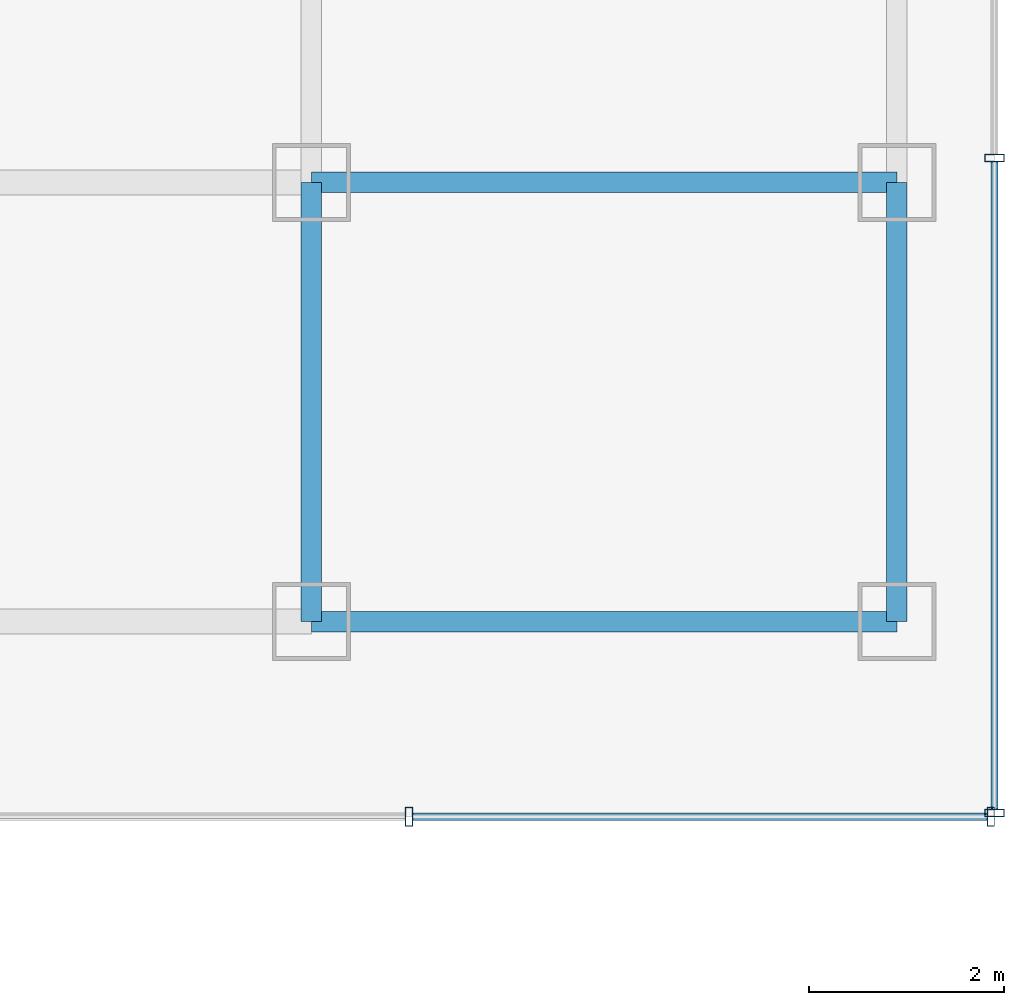
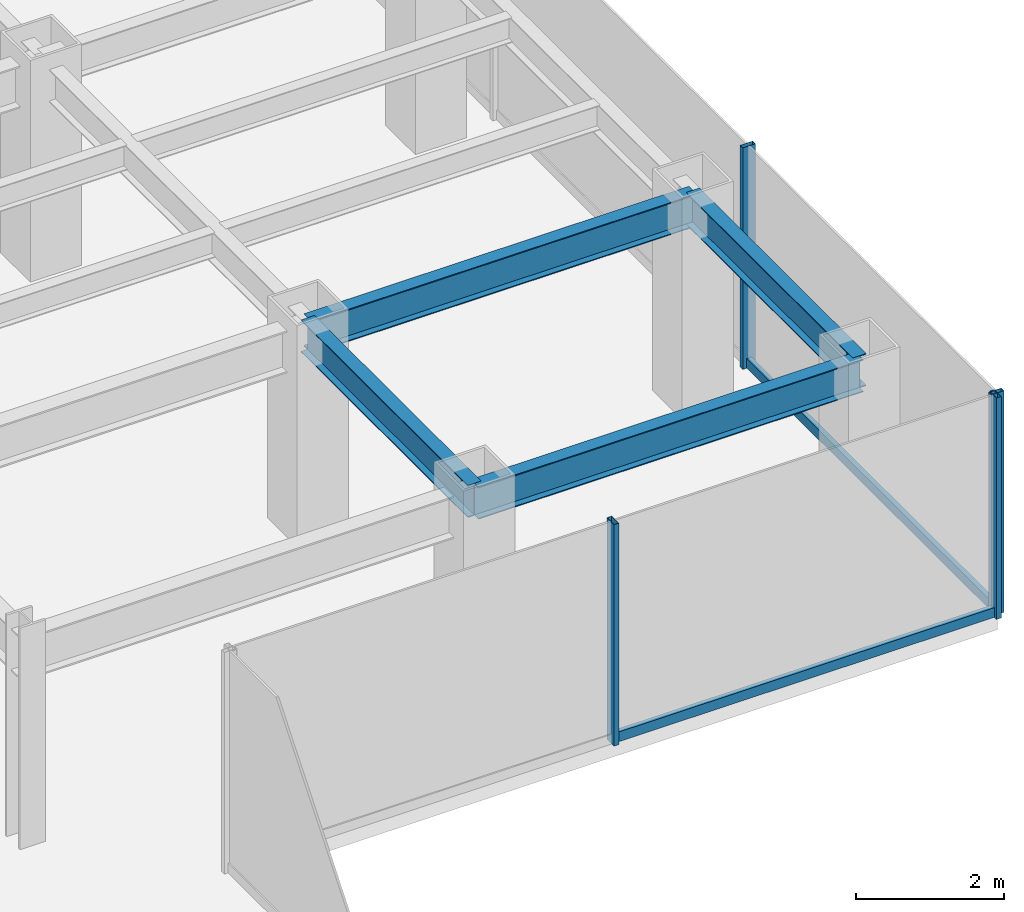
# One storey, part 10 of 26: 6 members, 4 beams, 2 elements without a shape of their own.
"""IFC4 building model written with IfcOpenShell, lengths in metres."""

from ifc_helpers import new_model, si_unit, derived_unit, direction, frame, origin, origin_2d, place, context, subcontext, project, spatial, hollow_rectangle, i_section, extrude, source, transform, mapped, material, material_profile, profile_set, type_object, element, aggregate, save


model = new_model("IFC4")

# Units and contexts
model_context = context("Model", 3, precision=1e-05, world=origin(), true_north=direction((0.0, 1.0)))
body_context = subcontext(model_context, "Body", "Model", "MODEL_VIEW")
ifc_project = project(units=[si_unit("LENGTHUNIT", "METRE"), si_unit("AREAUNIT", "SQUARE_METRE"), si_unit("VOLUMEUNIT", "CUBIC_METRE"), si_unit("PLANEANGLEUNIT", "RADIAN"), si_unit("MASSUNIT", "GRAM", prefix="KILO"), derived_unit("THERMALTRANSMITTANCEUNIT", [(si_unit("POWERUNIT", "WATT"), 1), (si_unit("LENGTHUNIT", "METRE"), -2), (si_unit("THERMODYNAMICTEMPERATUREUNIT", "KELVIN"), -1)])], contexts=[model_context])

# Site, building, storey
site_placement = place(None, origin())
site = spatial("IfcSite", under=ifc_project, at=site_placement, CompositionType="ELEMENT")
building_placement = place(site_placement, origin())
building = spatial("IfcBuilding", under=site, at=building_placement, Name="Skarnbrae Concourse Arena and Tower", CompositionType="ELEMENT")
storey_placement = place(building_placement, frame((0.0, 0.0, 92.300048828125)))
storey = spatial("IfcBuildingStorey", under=building, at=storey_placement, Name="L22", CompositionType="ELEMENT", Elevation=92.300048828125)

# Beams
ifc_material_1 = material(Name="Steel CSA G40.21 350W", Category="steel")
ifc_material_profile_1 = material_profile(ifc_material_1, i_section(OverallWidth=0.208984375, OverallDepth=0.532958984375, WebThickness=0.01025390625, FlangeThickness=0.015625, at=origin_2d()), Name="W530X92")
ifc_profile_set_1 = profile_set([ifc_material_profile_1], Name="Steel CSA G40.21 350W")
beam_type = type_object("IfcBeamType", Name="BM-SPAN-W530X92", PredefinedType="SPANDREL", material=ifc_profile_set_1)
shared_shape_1 = source(origin(), body_context, "Body", "SweptSolid", [
    extrude(i_section(OverallWidth=0.208984375, OverallDepth=0.532958984375, WebThickness=0.01025390625, FlangeThickness=0.015625, at=origin_2d()), origin(), (0.0, 0.0, 1.0), 6.0),
])
for number, where, z_axis, x_axis, name in (
    (1, (49.0, 9.5, 3.133544921875), (1.0, 0.0, 0.0), (0.0, 1.0, 0.0), "L22 Perimeter spandrel Y9.5-3"),
    (2, (49.0, 14.0, 3.133544921875), (1.0, 0.0, 0.0), (0.0, 1.0, 0.0), "L22 Perimeter spandrel Y14.0-8"),
):
    element("IfcBeam", number, at=place(storey_placement, frame(where, z_axis=z_axis, x_axis=x_axis)), inside=storey, type_object=beam_type, Name=name, PredefinedType="SPANDREL", context=body_context, shape_type="MappedRepresentation", body=[
        mapped(shared_shape_1, transform((0.0, 0.0, 0.0))),
    ])
shared_shape_2 = source(origin(), body_context, "Body", "SweptSolid", [
    extrude(i_section(OverallWidth=0.208984375, OverallDepth=0.532958984375, WebThickness=0.01025390625, FlangeThickness=0.015625, at=origin_2d()), origin(), (0.0, 0.0, 1.0), 4.5),
])
for number, where, z_axis, x_axis, name in (
    (3, (49.0, 9.5, 3.133544921875), (0.0, 1.0, 0.0), (-1.0, 0.0, 0.0), "L22 Perimeter spandrel X49.0-1"),
    (4, (55.0, 9.5, 3.133544921875), (0.0, 1.0, 0.0), (-1.0, 0.0, 0.0), "L22 Perimeter spandrel X55.0-1"),
):
    element("IfcBeam", number, at=place(storey_placement, frame(where, z_axis=z_axis, x_axis=x_axis)), inside=storey, type_object=beam_type, Name=name, PredefinedType="SPANDREL", context=body_context, shape_type="MappedRepresentation", body=[
        mapped(shared_shape_2, transform((0.0, 0.0, 0.0))),
    ])

# Curtain wall, members
ifc_material_2 = material(Name="Bronze anodised aluminium 6063-T6", Category="aluminium")
curtain_wall_type = type_object("IfcCurtainWallType", Name="CW-SYS-04-MIDZONE", PredefinedType="USERDEFINED", material=ifc_material_2)
curtain_wall_1_placement = place(storey_placement, origin())
curtain_wall_1 = element("IfcCurtainWall", 5, at=curtain_wall_1_placement, inside=storey, type_object=curtain_wall_type, Name="L22 Unitised curtain wall CW-L22-E03", ObjectType="UNITISED CURTAIN WALL", PredefinedType="USERDEFINED")
ifc_material_profile_2 = material_profile(ifc_material_2, hollow_rectangle(XDim=0.074951171875, YDim=0.159912109375, WallThickness=0.00439453125, at=origin_2d()), Name="ALU-TRAN-75X160")
ifc_profile_set_2 = profile_set([ifc_material_profile_2], Name="Bronze anodised aluminium 6063-T6")
member_type_1 = type_object("IfcMemberType", Name="CWT-CW-04", PredefinedType="USERDEFINED", material=ifc_profile_set_2)
shared_shape_3 = source(origin(), body_context, "Body", "SweptSolid", [
    extrude(hollow_rectangle(XDim=0.074951171875, YDim=0.159912109375, WallThickness=0.00439453125, at=origin_2d()), origin(), (0.0, 0.0, 1.0), 5.887451171875),
])
member_1_placement = place(storey_placement, frame((50.03759765625, 7.5, 0.079833984375), z_axis=(1.0, 0.0, 0.0), x_axis=(0.0, 1.0, 0.0)))
member_1 = element("IfcMember", 6, at=member_1_placement, type_object=member_type_1, Name="CW-L22-E03 Transom 2", ObjectType="TRANSOM", PredefinedType="USERDEFINED", context=body_context, shape_type="MappedRepresentation", body=[
    mapped(shared_shape_3, transform((0.0, 0.0, 0.0))),
])
ifc_material_profile_3 = material_profile(ifc_material_2, hollow_rectangle(XDim=0.074951171875, YDim=0.195068359375, WallThickness=0.00439453125, at=origin_2d()), Name="ALU-MULL-75X195")
ifc_profile_set_3 = profile_set([ifc_material_profile_3], Name="Bronze anodised aluminium 6063-T6")
member_type_2 = type_object("IfcMemberType", Name="CWM-CW-04", PredefinedType="MULLION", material=ifc_profile_set_3)
shared_shape_4 = source(origin(), body_context, "Body", "SweptSolid", [
    extrude(hollow_rectangle(XDim=0.074951171875, YDim=0.195068359375, WallThickness=0.00439453125, at=origin_2d()), origin(), (0.0, 0.0, 1.0), 3.64990234375),
])
member_2_placement = place(storey_placement, frame((50.0, 7.5, 0.0), z_axis=(0.0, 0.0, 1.0), x_axis=(1.0, 0.0, 0.0)))
member_2 = element("IfcMember", 7, at=member_2_placement, type_object=member_type_2, Name="CW-L22-E03 Mullion 2", PredefinedType="MULLION", context=body_context, shape_type="MappedRepresentation", body=[
    mapped(shared_shape_4, transform((0.0, 0.0, 0.0))),
])
member_3_placement = place(storey_placement, frame((55.96240234375, 7.5, 0.0), z_axis=(0.0, 0.0, 1.0), x_axis=(1.0, 0.0, 0.0)))
member_3 = element("IfcMember", 8, at=member_3_placement, type_object=member_type_2, Name="CW-L22-E03 Mullion 3", PredefinedType="MULLION", context=body_context, shape_type="MappedRepresentation", body=[
    mapped(shared_shape_4, transform((0.0, 0.0, 0.0))),
])
aggregate(curtain_wall_1, [member_2, member_3, member_1])

curtain_wall_2_placement = place(storey_placement, origin())
curtain_wall_2 = element("IfcCurtainWall", 9, at=curtain_wall_2_placement, inside=storey, type_object=curtain_wall_type, Name="L22 Unitised curtain wall CW-L22-E04", ObjectType="UNITISED CURTAIN WALL", PredefinedType="USERDEFINED")
member_4_placement = place(storey_placement, frame((56.0, 7.53759765625, 0.0), z_axis=(0.0, 0.0, 1.0), x_axis=(0.0, 1.0, 0.0)))
member_4 = element("IfcMember", 10, at=member_4_placement, type_object=member_type_2, Name="CW-L22-E04 Mullion 1", PredefinedType="MULLION", context=body_context, shape_type="MappedRepresentation", body=[
    mapped(shared_shape_4, transform((0.0, 0.0, 0.0))),
])
member_5_placement = place(storey_placement, frame((56.0, 14.25, 0.0), z_axis=(0.0, 0.0, 1.0), x_axis=(0.0, 1.0, 0.0)))
member_5 = element("IfcMember", 11, at=member_5_placement, type_object=member_type_2, Name="CW-L22-E04 Mullion 2", PredefinedType="MULLION", context=body_context, shape_type="MappedRepresentation", body=[
    mapped(shared_shape_4, transform((0.0, 0.0, 0.0))),
])
shared_shape_5 = source(origin(), body_context, "Body", "SweptSolid", [
    extrude(hollow_rectangle(XDim=0.074951171875, YDim=0.159912109375, WallThickness=0.00439453125, at=origin_2d()), origin(), (0.0, 0.0, 1.0), 6.637451171875),
])
member_6_placement = place(storey_placement, frame((56.0, 7.574951171875, 0.079833984375), z_axis=(0.0, 1.0, 0.0), x_axis=(-1.0, 0.0, 0.0)))
member_6 = element("IfcMember", 12, at=member_6_placement, type_object=member_type_1, Name="CW-L22-E04 Transom 1", ObjectType="TRANSOM", PredefinedType="USERDEFINED", context=body_context, shape_type="MappedRepresentation", body=[
    mapped(shared_shape_5, transform((0.0, 0.0, 0.0))),
])
aggregate(curtain_wall_2, [member_4, member_5, member_6])

save(model, "model.ifc")
